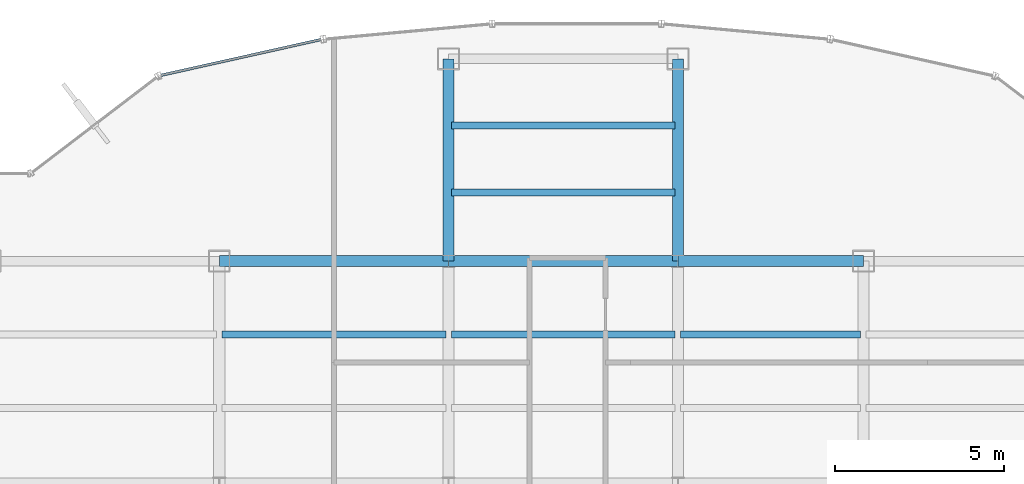
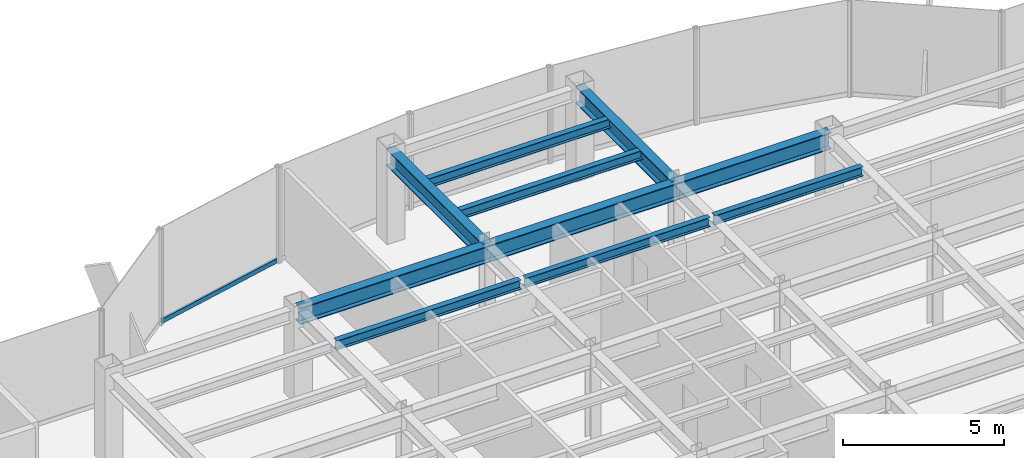
# One storey, part 15 of 25: 10 beams, 1 member, 1 element without a shape of its own.
"""IFC4 building model written with IfcOpenShell, lengths in metres."""

from ifc_helpers import new_model, si_unit, derived_unit, direction, frame, origin, origin_2d, place, context, subcontext, project, spatial, hollow_rectangle, i_section, extrude, source, transform, mapped, material, material_profile, profile_set, type_object, element, aggregate, save


model = new_model("IFC4")

# Units and contexts
model_context = context("Model", 3, precision=1e-05, world=origin(), true_north=direction((0.0, 1.0)))
body_context = subcontext(model_context, "Body", "Model", "MODEL_VIEW")
ifc_project = project(units=[si_unit("LENGTHUNIT", "METRE"), si_unit("AREAUNIT", "SQUARE_METRE"), si_unit("VOLUMEUNIT", "CUBIC_METRE"), si_unit("PLANEANGLEUNIT", "RADIAN"), si_unit("MASSUNIT", "GRAM", prefix="KILO"), derived_unit("THERMALTRANSMITTANCEUNIT", [(si_unit("POWERUNIT", "WATT"), 1), (si_unit("LENGTHUNIT", "METRE"), -2), (si_unit("THERMODYNAMICTEMPERATUREUNIT", "KELVIN"), -1)])], contexts=[model_context])

# Site, building, storey
site_placement = place(None, origin())
site = spatial("IfcSite", under=ifc_project, at=site_placement, CompositionType="ELEMENT")
building_placement = place(site_placement, origin())
building = spatial("IfcBuilding", under=site, at=building_placement, Name="Skarnbrae Concourse Arena and Tower", CompositionType="ELEMENT")
storey_placement = place(building_placement, frame((0.0, 0.0, 162.5)))
storey = spatial("IfcBuildingStorey", under=building, at=storey_placement, Name="L41", CompositionType="ELEMENT", Elevation=162.5)

# Beams
ifc_material_1 = material(Name="Steel CSA G40.21 350W", Category="steel")
ifc_material_profile_1 = material_profile(ifc_material_1, i_section(OverallWidth=0.3291015625, OverallDepth=0.635009765625, WebThickness=0.017822265625, FlangeThickness=0.031005859375, at=origin_2d()), Name="W610X241")
ifc_profile_set_1 = profile_set([ifc_material_profile_1], Name="Steel CSA G40.21 350W")
beam_type_1 = type_object("IfcBeamType", Name="BM-GIRD-W610X241", PredefinedType="BEAM", material=ifc_profile_set_1)
shared_shape_1 = source(origin(), body_context, "Body", "SweptSolid", [
    extrude(i_section(OverallWidth=0.3291015625, OverallDepth=0.635009765625, WebThickness=0.017822265625, FlangeThickness=0.031005859375, at=origin_2d()), origin(), (0.0, 0.0, 1.0), 6.800048828125),
])
for number, where, z_axis, x_axis, name in (
    (1, (14.39990234375, 34.39990234375, 3.08251953125), (1.0, 0.0, 0.0), (0.0, 1.0, 0.0), "L41 Primary E-W girder Y34.4-2"),
    (2, (21.199951171875, 34.39990234375, 3.08251953125), (1.0, 0.0, 0.0), (0.0, 1.0, 0.0), "L41 Primary E-W girder Y34.4-3"),
):
    element("IfcBeam", number, at=place(storey_placement, frame(where, z_axis=z_axis, x_axis=x_axis)), inside=storey, type_object=beam_type_1, Name=name, PredefinedType="BEAM", context=body_context, shape_type="MappedRepresentation", body=[
        mapped(shared_shape_1, transform((0.0, 0.0, 0.0))),
    ])
shared_shape_2 = source(origin(), body_context, "Body", "SweptSolid", [
    extrude(i_section(OverallWidth=0.3291015625, OverallDepth=0.635009765625, WebThickness=0.017822265625, FlangeThickness=0.031005859375, at=origin_2d()), origin(), (0.0, 0.0, 1.0), 5.5),
])
beam_1_placement = place(storey_placement, frame((28.0, 34.39990234375, 3.08251953125), z_axis=(1.0, 0.0, 0.0), x_axis=(0.0, 1.0, 0.0)))
element("IfcBeam", 3, at=beam_1_placement, inside=storey, type_object=beam_type_1, Name="L41 Primary E-W girder Y34.4-4", PredefinedType="BEAM", context=body_context, shape_type="MappedRepresentation", body=[
    mapped(shared_shape_2, transform((0.0, 0.0, 0.0))),
])
shared_shape_3 = source(origin(), body_context, "Body", "SweptSolid", [
    extrude(i_section(OverallWidth=0.3291015625, OverallDepth=0.635009765625, WebThickness=0.017822265625, FlangeThickness=0.031005859375, at=origin_2d()), origin(), (0.0, 0.0, 1.0), 6.0),
])
for number, where, z_axis, x_axis, name in (
    (4, (21.199951171875, 34.39990234375, 3.08251953125), (0.0, 1.0, 0.0), (-1.0, 0.0, 0.0), "L41 Primary N-S girder X21.2-4"),
    (5, (28.0, 34.39990234375, 3.08251953125), (0.0, 1.0, 0.0), (-1.0, 0.0, 0.0), "L41 Primary N-S girder X28.0-4"),
):
    element("IfcBeam", number, at=place(storey_placement, frame(where, z_axis=z_axis, x_axis=x_axis)), inside=storey, type_object=beam_type_1, Name=name, PredefinedType="BEAM", context=body_context, shape_type="MappedRepresentation", body=[
        mapped(shared_shape_3, transform((0.0, 0.0, 0.0))),
    ])
ifc_material_profile_2 = material_profile(ifc_material_1, i_section(OverallWidth=0.205078125, OverallDepth=0.35400390625, WebThickness=0.009521484375, FlangeThickness=0.016845703125, at=origin_2d()), Name="W360X79")
ifc_profile_set_2 = profile_set([ifc_material_profile_2], Name="Steel CSA G40.21 350W")
beam_type_2 = type_object("IfcBeamType", Name="BM-JOIST-W360X79", PredefinedType="JOIST", material=ifc_profile_set_2)
shared_shape_4 = source(origin(), body_context, "Body", "SweptSolid", [
    extrude(i_section(OverallWidth=0.205078125, OverallDepth=0.35400390625, WebThickness=0.009521484375, FlangeThickness=0.016845703125, at=origin_2d()), origin(), (0.0, 0.0, 1.0), 6.64013671875),
])
beam_2_placement = place(storey_placement, frame((14.47998046875, 32.221923828125, 3.222900390625), z_axis=(1.0, 0.0, 0.0), x_axis=(0.0, 1.0, 0.0)))
element("IfcBeam", 6, at=beam_2_placement, inside=storey, type_object=beam_type_2, Name="L41 Secondary floor joist 3.2.2", PredefinedType="JOIST", context=body_context, shape_type="MappedRepresentation", body=[
    mapped(shared_shape_4, transform((0.0, 0.0, 0.0))),
])
shared_shape_5 = source(origin(), body_context, "Body", "SweptSolid", [
    extrude(i_section(OverallWidth=0.205078125, OverallDepth=0.35400390625, WebThickness=0.009521484375, FlangeThickness=0.016845703125, at=origin_2d()), origin(), (0.0, 0.0, 1.0), 6.639892578125),
])
for number, where, z_axis, x_axis, name in (
    (7, (21.280029296875, 32.221923828125, 3.222900390625), (1.0, 0.0, 0.0), (0.0, 1.0, 0.0), "L41 Secondary floor joist 3.2.3"),
    (8, (21.280029296875, 36.43994140625, 3.222900390625), (1.0, 0.0, 0.0), (0.0, 1.0, 0.0), "L41 Secondary floor joist 4.1.1"),
    (9, (21.280029296875, 38.419921875, 3.222900390625), (1.0, 0.0, 0.0), (0.0, 1.0, 0.0), "L41 Secondary floor joist 4.2.1"),
):
    element("IfcBeam", number, at=place(storey_placement, frame(where, z_axis=z_axis, x_axis=x_axis)), inside=storey, type_object=beam_type_2, Name=name, PredefinedType="JOIST", context=body_context, shape_type="MappedRepresentation", body=[
        mapped(shared_shape_5, transform((0.0, 0.0, 0.0))),
    ])
shared_shape_6 = source(origin(), body_context, "Body", "SweptSolid", [
    extrude(i_section(OverallWidth=0.205078125, OverallDepth=0.35400390625, WebThickness=0.009521484375, FlangeThickness=0.016845703125, at=origin_2d()), origin(), (0.0, 0.0, 1.0), 5.33984375),
])
beam_3_placement = place(storey_placement, frame((28.080078125, 32.221923828125, 3.222900390625), z_axis=(1.0, 0.0, 0.0), x_axis=(0.0, 1.0, 0.0)))
element("IfcBeam", 10, at=beam_3_placement, inside=storey, type_object=beam_type_2, Name="L41 Secondary floor joist 3.2.4", PredefinedType="JOIST", context=body_context, shape_type="MappedRepresentation", body=[
    mapped(shared_shape_6, transform((0.0, 0.0, 0.0))),
])

# Curtain wall, member
ifc_material_2 = material(Name="Bronze anodised aluminium 6063-T6", Category="aluminium")
curtain_wall_type = type_object("IfcCurtainWallType", Name="CW-SYS-03-PORTAL", PredefinedType="USERDEFINED", material=ifc_material_2)
curtain_wall_placement = place(storey_placement, origin())
curtain_wall = element("IfcCurtainWall", 11, at=curtain_wall_placement, inside=storey, type_object=curtain_wall_type, Name="L41 Unitised curtain wall CW-L41-E13", ObjectType="UNITISED CURTAIN WALL", PredefinedType="USERDEFINED")
ifc_material_profile_3 = material_profile(ifc_material_2, hollow_rectangle(XDim=0.080078125, YDim=0.169921875, WallThickness=0.00439453125, at=origin_2d()), Name="ALU-TRAN-80X170")
ifc_profile_set_3 = profile_set([ifc_material_profile_3], Name="Bronze anodised aluminium 6063-T6")
member_type = type_object("IfcMemberType", Name="CWT-CW-03", PredefinedType="USERDEFINED", material=ifc_profile_set_3)
shared_shape_7 = source(origin(), body_context, "Body", "SweptSolid", [
    extrude(hollow_rectangle(XDim=0.080078125, YDim=0.169921875, WallThickness=0.00439453125, at=origin_2d()), origin(), (0.0, 0.0, 1.0), 4.85791015625),
])
member_placement = place(storey_placement, frame((17.40966796875, 40.969482421875, 0.0849609375), z_axis=(-0.975934527506, -0.21806374761, 0.0), x_axis=(0.21806374761, -0.975934527506, 0.0)))
member = element("IfcMember", 12, at=member_placement, type_object=member_type, Name="CW-L41-E13 Transom 1", ObjectType="TRANSOM", PredefinedType="USERDEFINED", context=body_context, shape_type="MappedRepresentation", body=[
    mapped(shared_shape_7, transform((0.0, 0.0, 0.0))),
])
aggregate(curtain_wall, [member])

save(model, "model.ifc")
